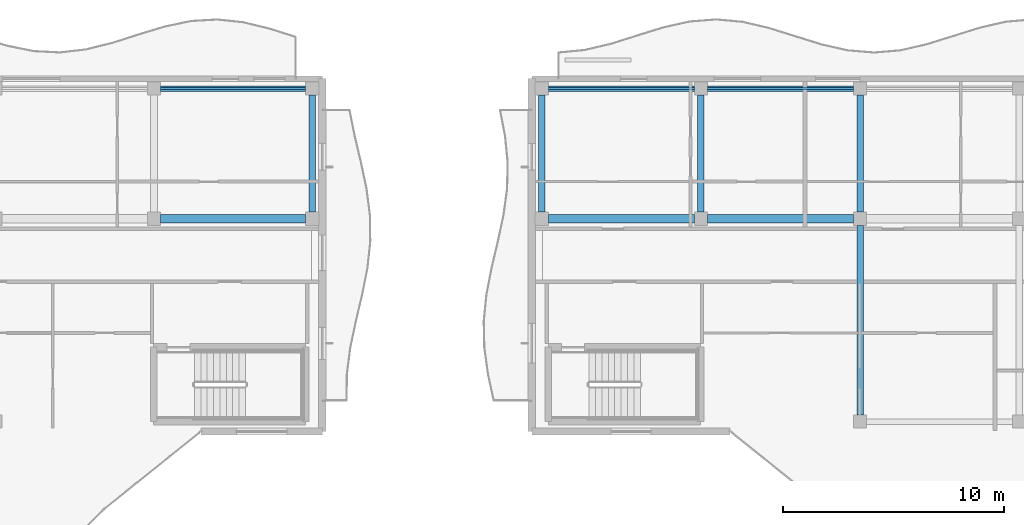
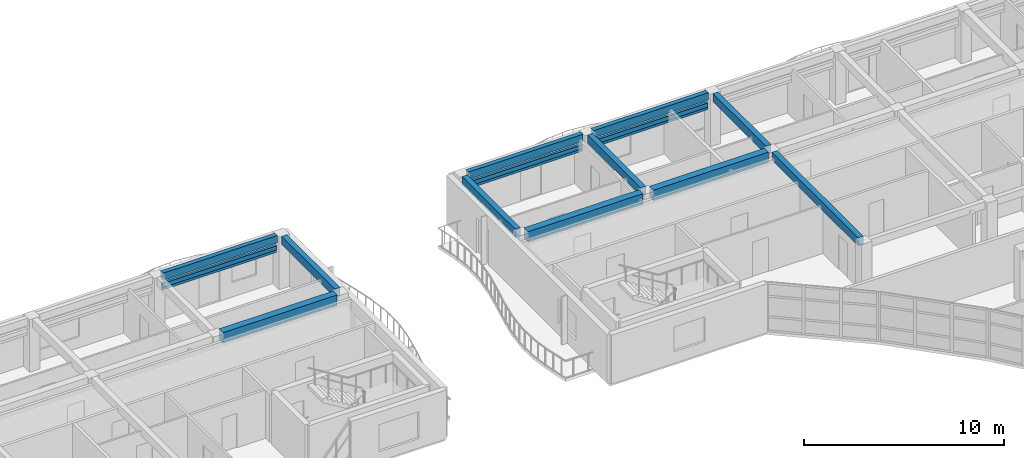
# One storey, part 20 of 76: 11 beams, 6 members.
"""IFC4 building model written with IfcOpenShell, lengths in metres."""

from ifc_helpers import new_model, si_unit, direction, frame, origin, origin_2d, place, context, subcontext, project, spatial, rectangle, hollow_rectangle, extrude, material, material_profile, profile_set, type_object, element, save


model = new_model("IFC4")

# Units and contexts
model_context = context("Model", 3, precision=1e-05, world=origin(), true_north=direction((0.0, 1.0)))
body_context = subcontext(model_context, "Body", "Model", "MODEL_VIEW")
ifc_project = project(units=[si_unit("LENGTHUNIT", "METRE"), si_unit("AREAUNIT", "SQUARE_METRE"), si_unit("VOLUMEUNIT", "CUBIC_METRE"), si_unit("PLANEANGLEUNIT", "RADIAN"), si_unit("MASSUNIT", "GRAM", prefix="KILO")], contexts=[model_context])

# Site, building, storey
site_placement = place(None, origin())
site = spatial("IfcSite", under=ifc_project, at=site_placement, CompositionType="ELEMENT")
building_placement = place(site_placement, origin())
building = spatial("IfcBuilding", under=site, at=building_placement, Name="Keldmere Railside Commons", CompositionType="ELEMENT")
storey_placement = place(building_placement, frame((0.0, 0.0, 13.760009765625)))
storey = spatial("IfcBuildingStorey", under=building, at=storey_placement, Name="L04", CompositionType="ELEMENT", Elevation=13.760009765625)

# Members
ifc_material_1 = material(Name="Steel F-36 (S355)", Category="steel")
ifc_material_profile_1 = material_profile(ifc_material_1, hollow_rectangle(XDim=0.14990234375, YDim=0.25, WallThickness=0.010009765625, at=origin_2d()), Name="RHS-250x150x10")
ifc_profile_set_1 = profile_set([ifc_material_profile_1], Name="Steel F-36 (S355)")
member_type_1 = type_object("IfcMemberType", Name="Balcony Continuous Planted Trough RHS250x150", PredefinedType="CHORD", material=ifc_profile_set_1)
member_1_placement = place(storey_placement, frame((130.1669921875, 115.550048828125, 2.4150390625), z_axis=(1.0, 0.0, 0.0), x_axis=(0.0, 1.0, 0.0)))
element("IfcMember", 1, at=member_1_placement, inside=storey, type_object=member_type_1, Name="PLT-1 MEM-BPLT-0517", PredefinedType="CHORD", context=body_context, shape_type="SweptSolid", body=[
    extrude(hollow_rectangle(XDim=0.14990234375, YDim=0.25, WallThickness=0.010009765625, at=origin_2d()), origin(), (0.0, 0.0, 1.0), 6.5830078125),
])
for number, where, z_axis, x_axis, name in (
    (2, (147.75, 115.550048828125, 2.4150390625), (1.0, 0.0, 0.0), (0.0, 1.0, 0.0), "PLT-1 MEM-BPLT-0535"),
    (3, (154.969970703125, 115.550048828125, 2.4150390625), (1.0, 0.0, 0.0), (0.0, 1.0, 0.0), "PLT-1 MEM-BPLT-0537"),
):
    element("IfcMember", number, at=place(storey_placement, frame(where, z_axis=z_axis, x_axis=x_axis)), inside=storey, type_object=member_type_1, Name=name, PredefinedType="CHORD", context=body_context, shape_type="SweptSolid", body=[
        extrude(hollow_rectangle(XDim=0.14990234375, YDim=0.25, WallThickness=0.010009765625, at=origin_2d()), origin(), (0.0, 0.0, 1.0), 6.6201171875),
    ])

# Beams
ifc_material_2 = material(Name="Architectural Precast Concrete H-35 (C35/45)", Category="concrete")
ifc_material_profile_2 = material_profile(ifc_material_2, rectangle(XDim=0.25, YDim=0.449951171875, at=origin_2d()), Name="RC-250x450")
ifc_profile_set_2 = profile_set([ifc_material_profile_2], Name="Architectural Precast Concrete H-35 (C35/45)")
beam_type_1 = type_object("IfcBeamType", Name="Perimeter Precast Spandrel Beam 250x450", PredefinedType="SPANDREL", material=ifc_profile_set_2)
beam_1_placement = place(storey_placement, frame((130.1669921875, 115.550048828125, 2.97509765625), z_axis=(1.0, 0.0, 0.0), x_axis=(0.0, 1.0, 0.0)))
element("IfcBeam", 4, at=beam_1_placement, inside=storey, type_object=beam_type_1, Name="SPB-1 BM-L04-1596", PredefinedType="SPANDREL", context=body_context, shape_type="SweptSolid", body=[
    extrude(rectangle(XDim=0.25, YDim=0.449951171875, at=origin_2d()), origin(), (0.0, 0.0, 1.0), 6.5830078125),
])
for number, where, z_axis, x_axis, name in (
    (5, (147.75, 115.550048828125, 2.97509765625), (1.0, 0.0, 0.0), (0.0, 1.0, 0.0), "SPB-1 BM-L04-1597"),
    (6, (154.969970703125, 115.550048828125, 2.97509765625), (1.0, 0.0, 0.0), (0.0, 1.0, 0.0), "SPB-1 BM-L04-1598"),
):
    element("IfcBeam", number, at=place(storey_placement, frame(where, z_axis=z_axis, x_axis=x_axis)), inside=storey, type_object=beam_type_1, Name=name, PredefinedType="SPANDREL", context=body_context, shape_type="SweptSolid", body=[
        extrude(rectangle(XDim=0.25, YDim=0.449951171875, at=origin_2d()), origin(), (0.0, 0.0, 1.0), 6.6201171875),
    ])
ifc_material_3 = material(Name="Concrete H-30 (C30/37)", Category="concrete")
ifc_material_profile_3 = material_profile(ifc_material_3, rectangle(XDim=0.39990234375, YDim=0.64990234375, at=origin_2d()), Name="RC-400x650")
ifc_profile_set_3 = profile_set([ifc_material_profile_3], Name="Concrete H-30 (C30/37)")
beam_type_2 = type_object("IfcBeamType", Name="Residential Spine RC Girder 400x650", PredefinedType="BEAM", material=ifc_profile_set_3)
beam_2_placement = place(storey_placement, frame((130.1669921875, 109.64990234375, 2.875), z_axis=(1.0, 0.0, 0.0), x_axis=(0.0, 1.0, 0.0)))
element("IfcBeam", 7, at=beam_2_placement, inside=storey, type_object=beam_type_2, Name="BG-3 BM-L04-1577", PredefinedType="BEAM", context=body_context, shape_type="SweptSolid", body=[
    extrude(rectangle(XDim=0.39990234375, YDim=0.64990234375, at=origin_2d()), origin(), (0.0, 0.0, 1.0), 6.5830078125),
])
for number, where, z_axis, x_axis, name in (
    (8, (147.75, 109.64990234375, 2.875), (1.0, 0.0, 0.0), (0.0, 1.0, 0.0), "BG-3 BM-L04-1578"),
    (9, (154.969970703125, 109.64990234375, 2.875), (1.0, 0.0, 0.0), (0.0, 1.0, 0.0), "BG-3 BM-L04-1579"),
):
    element("IfcBeam", number, at=place(storey_placement, frame(where, z_axis=z_axis, x_axis=x_axis)), inside=storey, type_object=beam_type_2, Name=name, PredefinedType="BEAM", context=body_context, shape_type="SweptSolid", body=[
        extrude(rectangle(XDim=0.39990234375, YDim=0.64990234375, at=origin_2d()), origin(), (0.0, 0.0, 1.0), 6.6201171875),
    ])
ifc_material_profile_4 = material_profile(ifc_material_3, rectangle(XDim=0.300048828125, YDim=0.5, at=origin_2d()), Name="RC-300x500")
ifc_profile_set_4 = profile_set([ifc_material_profile_4], Name="Concrete H-30 (C30/37)")
beam_type_3 = type_object("IfcBeamType", Name="Secondary Frame RC Beam 300x500", PredefinedType="BEAM", material=ifc_profile_set_4)
for number, where, z_axis, x_axis, name in (
    (10, (137.050048828125, 109.949951171875, 2.949951171875), (0.0, 1.0, 0.0), (-1.0, 0.0, 0.0), "BG-5 BM-L04-1666"),
    (11, (147.449951171875, 109.949951171875, 2.949951171875), (0.0, 1.0, 0.0), (-1.0, 0.0, 0.0), "BG-5 BM-L04-1667"),
    (12, (154.669921875, 109.949951171875, 2.949951171875), (0.0, 1.0, 0.0), (-1.0, 0.0, 0.0), "BG-5 BM-L04-1668"),
):
    element("IfcBeam", number, at=place(storey_placement, frame(where, z_axis=z_axis, x_axis=x_axis)), inside=storey, type_object=beam_type_3, Name=name, PredefinedType="BEAM", context=body_context, shape_type="SweptSolid", body=[
        extrude(rectangle(XDim=0.300048828125, YDim=0.5, at=origin_2d()), origin(), (0.0, 0.0, 1.0), 5.300048828125),
    ])
beam_3_placement = place(storey_placement, frame((161.889892578125, 100.75, 2.949951171875), z_axis=(0.0, 1.0, 0.0), x_axis=(-1.0, 0.0, 0.0)))
element("IfcBeam", 13, at=beam_3_placement, inside=storey, type_object=beam_type_3, Name="BG-5 BM-L04-1669", PredefinedType="BEAM", context=body_context, shape_type="SweptSolid", body=[
    extrude(rectangle(XDim=0.300048828125, YDim=0.5, at=origin_2d()), origin(), (0.0, 0.0, 1.0), 8.60009765625),
])
beam_4_placement = place(storey_placement, frame((161.889892578125, 109.949951171875, 2.949951171875), z_axis=(0.0, 1.0, 0.0), x_axis=(-1.0, 0.0, 0.0)))
element("IfcBeam", 14, at=beam_4_placement, inside=storey, type_object=beam_type_3, Name="BG-5 BM-L04-1670", PredefinedType="BEAM", context=body_context, shape_type="SweptSolid", body=[
    extrude(rectangle(XDim=0.300048828125, YDim=0.5, at=origin_2d()), origin(), (0.0, 0.0, 1.0), 5.300048828125),
])

# Members
ifc_material_profile_5 = material_profile(ifc_material_1, hollow_rectangle(XDim=0.10009765625, YDim=0.159912109375, WallThickness=0.008056640625, at=origin_2d()), Name="RHS-160x100x8")
ifc_profile_set_5 = profile_set([ifc_material_profile_5], Name="Steel F-36 (S355)")
member_type_2 = type_object("IfcMemberType", Name="Solar Brise-Soleil Louvre Fin RHS160x100", PredefinedType="STRUT", material=ifc_profile_set_5)
member_2_placement = place(storey_placement, frame((130.1669921875, 115.550048828125, 2.199951171875), z_axis=(1.0, 0.0, 0.0), x_axis=(0.0, 1.0, 0.0)))
element("IfcMember", 15, at=member_2_placement, inside=storey, type_object=member_type_2, Name="BSF-1 MEM-BSF-0518", PredefinedType="STRUT", context=body_context, shape_type="SweptSolid", body=[
    extrude(hollow_rectangle(XDim=0.10009765625, YDim=0.159912109375, WallThickness=0.008056640625, at=origin_2d()), origin(), (0.0, 0.0, 1.0), 6.5830078125),
])
for number, where, z_axis, x_axis, name in (
    (16, (147.75, 115.550048828125, 2.199951171875), (1.0, 0.0, 0.0), (0.0, 1.0, 0.0), "BSF-1 MEM-BSF-0536"),
    (17, (154.969970703125, 115.550048828125, 2.199951171875), (1.0, 0.0, 0.0), (0.0, 1.0, 0.0), "BSF-1 MEM-BSF-0538"),
):
    element("IfcMember", number, at=place(storey_placement, frame(where, z_axis=z_axis, x_axis=x_axis)), inside=storey, type_object=member_type_2, Name=name, PredefinedType="STRUT", context=body_context, shape_type="SweptSolid", body=[
        extrude(hollow_rectangle(XDim=0.10009765625, YDim=0.159912109375, WallThickness=0.008056640625, at=origin_2d()), origin(), (0.0, 0.0, 1.0), 6.6201171875),
    ])

save(model, "model.ifc")
